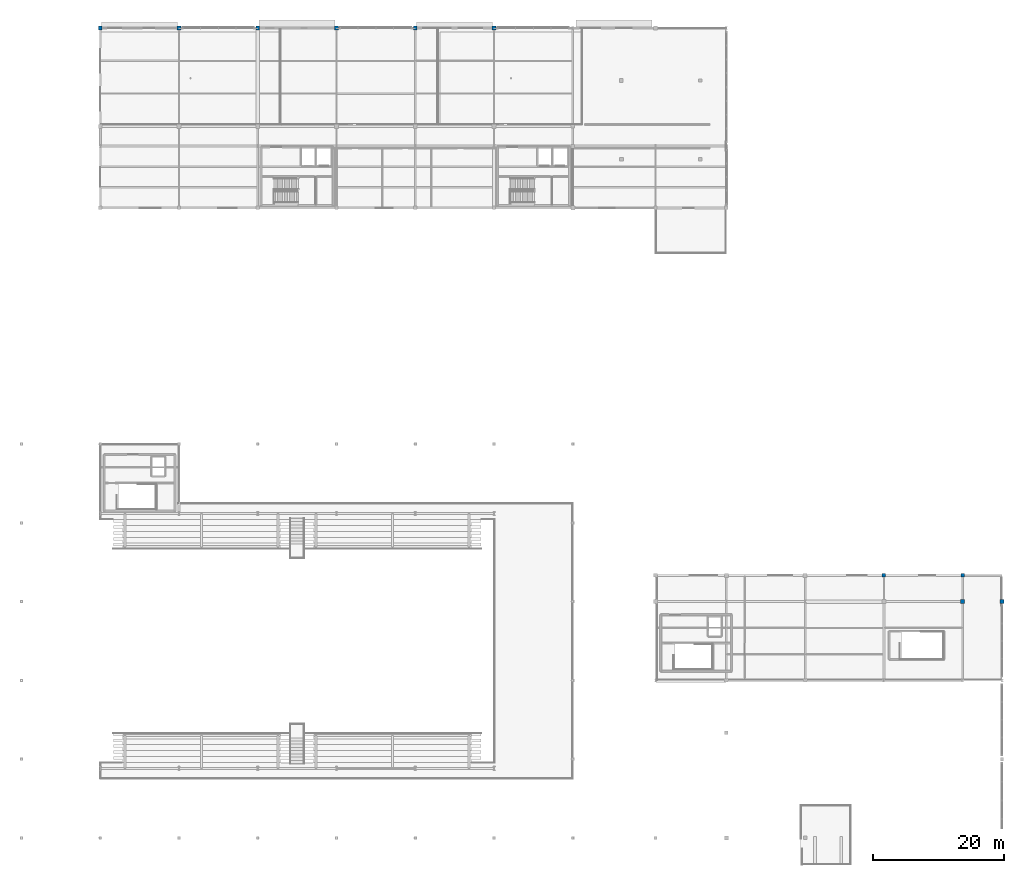
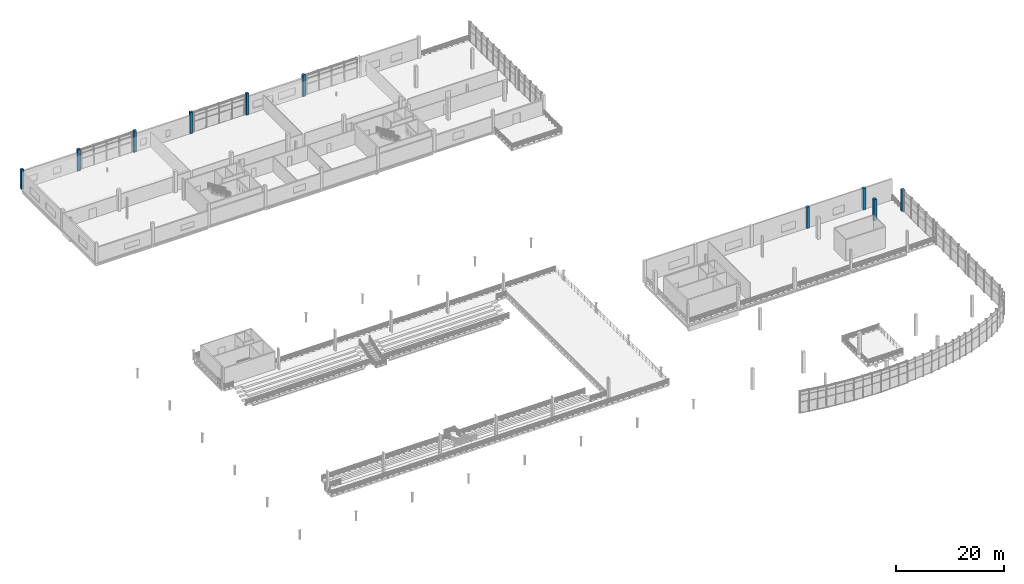
# One storey, part 15 of 52: 10 columns.
"""IFC4 building model written with IfcOpenShell, lengths in metres."""

from ifc_helpers import new_model, si_unit, direction, frame, origin, origin_2d, place, context, subcontext, project, spatial, rectangle, extrude, material, material_profile, profile_set, type_object, element, save


model = new_model("IFC4")

# Units and contexts
model_context = context("Model", 3, precision=1e-05, world=origin(), true_north=direction((0.0, 1.0)))
body_context = subcontext(model_context, "Body", "Model", "MODEL_VIEW")
ifc_project = project(units=[si_unit("LENGTHUNIT", "METRE"), si_unit("AREAUNIT", "SQUARE_METRE"), si_unit("VOLUMEUNIT", "CUBIC_METRE"), si_unit("PLANEANGLEUNIT", "RADIAN"), si_unit("MASSUNIT", "GRAM", prefix="KILO"), si_unit("THERMODYNAMICTEMPERATUREUNIT", "KELVIN"), si_unit("POWERUNIT", "WATT")], contexts=[model_context])

# Site, building, storey
site_placement = place(None, origin())
site = spatial("IfcSite", under=ifc_project, at=site_placement, CompositionType="ELEMENT")
building_placement = place(site_placement, origin())
building = spatial("IfcBuilding", under=site, at=building_placement, Name="Solmara Park Aquatics Centre", CompositionType="ELEMENT")
storey_placement = place(building_placement, frame((0.0, 0.0, 9.60009765625)))
storey = spatial("IfcBuildingStorey", under=building, at=storey_placement, Name="L02", CompositionType="ELEMENT", Elevation=9.60009765625)

# Columns
ifc_material = material(Name="Concrete C40/50", Category="concrete")
ifc_material_profile_1 = material_profile(ifc_material, rectangle(XDim=0.550048828125, YDim=0.550048828125, at=origin_2d()), Name="RC 550x550")
ifc_profile_set_1 = profile_set([ifc_material_profile_1], Name="Concrete C40/50")
column_type_1 = type_object("IfcColumnType", Name="STR-COL-RC550", PredefinedType="COLUMN", material=ifc_profile_set_1)
column_placement = place(storey_placement, frame((24.60009765625, 136.0, 0.0), z_axis=(0.0, 0.0, 1.0), x_axis=(1.0, 0.0, 0.0)))
element("IfcColumn", 1, at=column_placement, inside=storey, type_object=column_type_1, Name="Column L02-0474", PredefinedType="COLUMN", context=body_context, shape_type="SweptSolid", body=[
    extrude(rectangle(XDim=0.550048828125, YDim=0.550048828125, at=origin_2d()), origin(), (0.0, 0.0, 1.0), 4.47998046875),
])
for number, where, z_axis, x_axis, name in (
    (2, (36.60009765625, 136.0, 0.0), (0.0, 0.0, 1.0), (1.0, 0.0, 0.0), "Column L02-0482"),
    (3, (48.60009765625, 136.0, 0.0), (0.0, 0.0, 1.0), (1.0, 0.0, 0.0), "Column L02-0490"),
    (4, (60.60009765625, 136.0, 0.0), (0.0, 0.0, 1.0), (1.0, 0.0, 0.0), "Column L02-0498"),
    (5, (72.60009765625, 136.0, 0.0), (0.0, 0.0, 1.0), (1.0, 0.0, 0.0), "Column L02-0506"),
    (6, (84.60009765625, 136.0, 0.0), (0.0, 0.0, 1.0), (1.0, 0.0, 0.0), "Column L02-0514"),
    (7, (144.0, 52.60009765625, 0.0), (0.0, 0.0, 1.0), (1.0, 0.0, 0.0), "Column L02-0554"),
    (8, (156.0, 52.60009765625, 0.0), (0.0, 0.0, 1.0), (1.0, 0.0, 0.0), "Column L02-0558"),
):
    element("IfcColumn", number, at=place(storey_placement, frame(where, z_axis=z_axis, x_axis=x_axis)), inside=storey, type_object=column_type_1, Name=name, PredefinedType="COLUMN", context=body_context, shape_type="SweptSolid", body=[
        extrude(rectangle(XDim=0.550048828125, YDim=0.550048828125, at=origin_2d()), origin(), (0.0, 0.0, 1.0), 4.7998046875),
    ])
ifc_material_profile_2 = material_profile(ifc_material, rectangle(XDim=0.60009765625, YDim=0.60009765625, at=origin_2d()), Name="RC 600x600")
ifc_profile_set_2 = profile_set([ifc_material_profile_2], Name="Concrete C40/50")
column_type_2 = type_object("IfcColumnType", Name="STR-COL-RC600", PredefinedType="COLUMN", material=ifc_profile_set_2)
for number, where, z_axis, x_axis, name in (
    (9, (156.0, 48.60009765625, 0.0), (0.0, 0.0, 1.0), (1.0, 0.0, 0.0), "Column L02-0557"),
    (10, (162.0, 48.60009765625, 0.0), (0.0, 0.0, 1.0), (1.0, 0.0, 0.0), "Column L02-0561"),
):
    element("IfcColumn", number, at=place(storey_placement, frame(where, z_axis=z_axis, x_axis=x_axis)), inside=storey, type_object=column_type_2, Name=name, PredefinedType="COLUMN", context=body_context, shape_type="SweptSolid", body=[
        extrude(rectangle(XDim=0.60009765625, YDim=0.60009765625, at=origin_2d()), origin(), (0.0, 0.0, 1.0), 4.7998046875),
    ])

save(model, "model.ifc")
